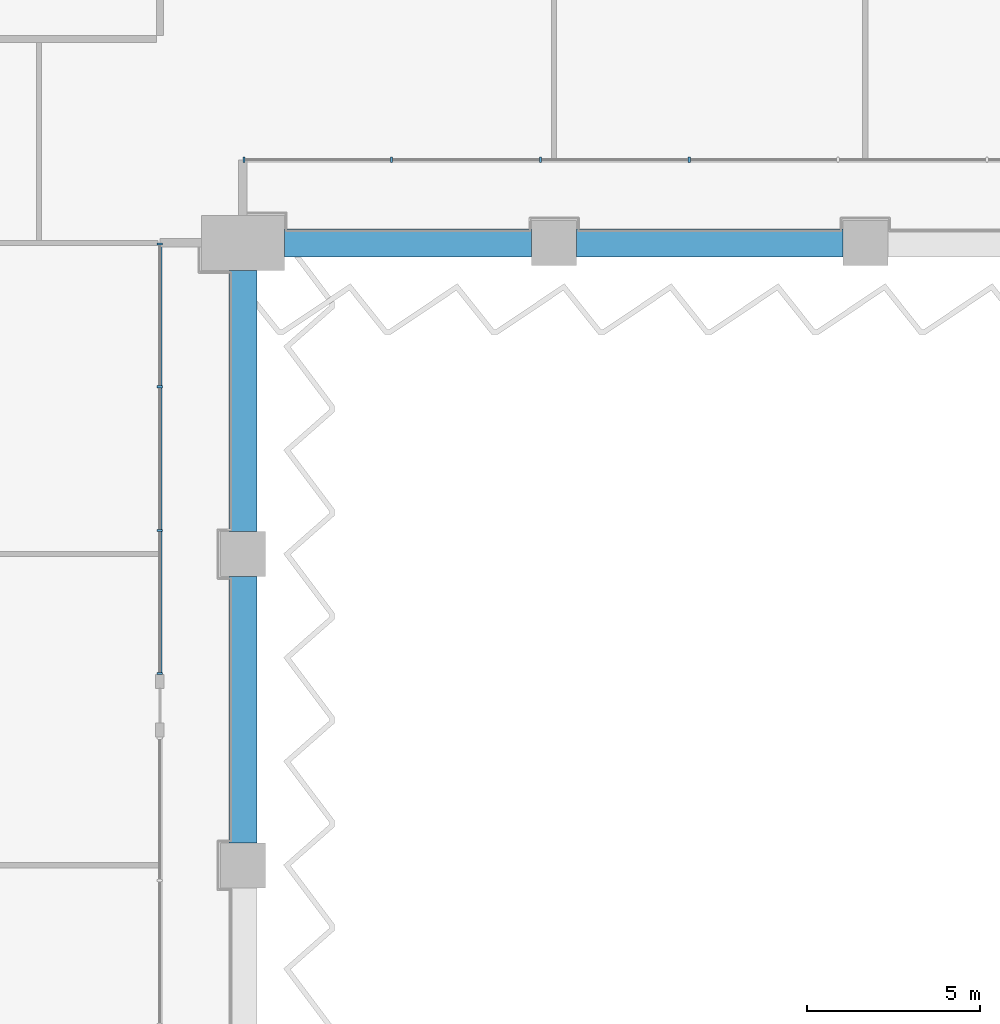
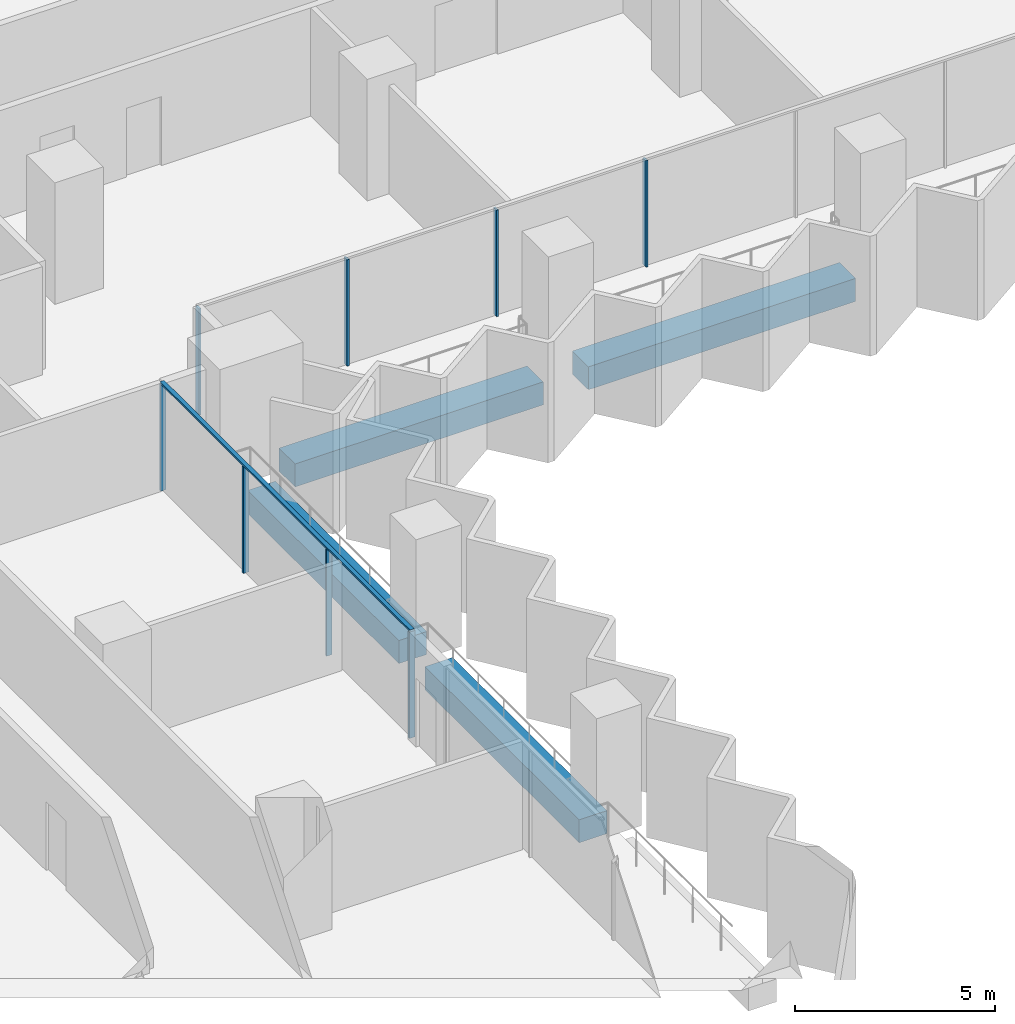
# One storey, part 4 of 28: 9 members, 4 beams, 2 elements without a shape of their own.
"""IFC4 building model written with IfcOpenShell, lengths in metres."""

from ifc_helpers import new_model, si_unit, direction, frame, origin, origin_2d, place, context, subcontext, project, spatial, rectangle, extrude, material, material_profile, profile_set, type_object, element, aggregate, save


model = new_model("IFC4")

# Units and contexts
model_context = context("Model", 3, precision=1e-05, world=origin(), true_north=direction((0.0, 1.0)))
body_context = subcontext(model_context, "Body", "Model", "MODEL_VIEW")
ifc_project = project(units=[si_unit("LENGTHUNIT", "METRE"), si_unit("AREAUNIT", "SQUARE_METRE"), si_unit("VOLUMEUNIT", "CUBIC_METRE"), si_unit("PLANEANGLEUNIT", "RADIAN"), si_unit("MASSUNIT", "GRAM", prefix="KILO")], contexts=[model_context])

# Site, building, storey
site_placement = place(None, origin())
site = spatial("IfcSite", under=ifc_project, at=site_placement, CompositionType="ELEMENT")
building_placement = place(site_placement, origin())
building = spatial("IfcBuilding", under=site, at=building_placement, Name="Hunhe Ridgeline Campus", CompositionType="ELEMENT")
storey_placement = place(building_placement, frame((0.0, 0.0, 61.699951171875)))
storey = spatial("IfcBuildingStorey", under=building, at=storey_placement, Name="L14", CompositionType="ELEMENT", Elevation=61.699951171875)

# Curtain wall, members
ifc_material_1 = material(Name="Aluminium 6063", Category="aluminium")
curtain_wall_type = type_object("IfcCurtainWallType", Name="Curtain wall CW-1", PredefinedType="NOTDEFINED", material=ifc_material_1)
curtain_wall_1_placement = place(storey_placement, origin())
curtain_wall_1 = element("IfcCurtainWall", 1, at=curtain_wall_1_placement, inside=storey, type_object=curtain_wall_type, Name="Curtain wall 12", PredefinedType="NOTDEFINED")
ifc_material_profile_1 = material_profile(ifc_material_1, rectangle(XDim=0.159912109375, YDim=0.06005859375, at=origin_2d()))
ifc_profile_set_1 = profile_set([ifc_material_profile_1], Name="Aluminium 6063")
member_type_1 = type_object("IfcMemberType", Name="CW-1 aluminium mullion", PredefinedType="MULLION", material=ifc_profile_set_1)
member_1_placement = place(storey_placement, frame((42.59912109375, 41.54833984375, 0.0), z_axis=(0.0, 0.0, 1.0), x_axis=(-1.0, 1.60239e-07, 0.0)))
member_1 = element("IfcMember", 2, at=member_1_placement, type_object=member_type_1, Name="CW-1 mullion 1", PredefinedType="MULLION", context=body_context, shape_type="SweptSolid", body=[
    extrude(rectangle(XDim=0.159912109375, YDim=0.06005859375, at=origin_2d()), origin(), (0.0, 0.0, 1.0), 3.239990234375),
])
member_2_placement = place(storey_placement, frame((42.59912109375, 45.678955078125, 0.0), z_axis=(0.0, 0.0, 1.0), x_axis=(-1.0, 1.60239e-07, 0.0)))
member_2 = element("IfcMember", 3, at=member_2_placement, type_object=member_type_1, Name="CW-1 mullion 2", PredefinedType="MULLION", context=body_context, shape_type="SweptSolid", body=[
    extrude(rectangle(XDim=0.159912109375, YDim=0.06005859375, at=origin_2d()), origin(), (0.0, 0.0, 1.0), 3.239990234375),
])
member_3_placement = place(storey_placement, frame((42.59912109375, 49.839599609375, 0.0), z_axis=(0.0, 0.0, 1.0), x_axis=(-1.0, 1.60239e-07, 0.0)))
member_3 = element("IfcMember", 4, at=member_3_placement, type_object=member_type_1, Name="CW-1 mullion 3", PredefinedType="MULLION", context=body_context, shape_type="SweptSolid", body=[
    extrude(rectangle(XDim=0.159912109375, YDim=0.06005859375, at=origin_2d()), origin(), (0.0, 0.0, 1.0), 3.239990234375),
])
member_4_placement = place(storey_placement, frame((42.59912109375, 53.97021484375, 0.0), z_axis=(0.0, 0.0, 1.0), x_axis=(-1.0, 1.60239e-07, 0.0)))
member_4 = element("IfcMember", 5, at=member_4_placement, type_object=member_type_1, Name="CW-1 mullion 4", PredefinedType="MULLION", context=body_context, shape_type="SweptSolid", body=[
    extrude(rectangle(XDim=0.159912109375, YDim=0.06005859375, at=origin_2d()), origin(), (0.0, 0.0, 1.0), 3.239990234375),
])

curtain_wall_2_placement = place(storey_placement, origin())
curtain_wall_2 = element("IfcCurtainWall", 6, at=curtain_wall_2_placement, inside=storey, type_object=curtain_wall_type, Name="Curtain wall 13", PredefinedType="NOTDEFINED")
member_5_placement = place(storey_placement, frame((45.029541015625, 56.40087890625, 0.0), z_axis=(0.0, 0.0, 1.0), x_axis=(-3.602063e-06, 0.999999999994, 0.0)))
member_5 = element("IfcMember", 7, at=member_5_placement, type_object=member_type_1, Name="CW-1 mullion 1", PredefinedType="MULLION", context=body_context, shape_type="SweptSolid", body=[
    extrude(rectangle(XDim=0.159912109375, YDim=0.06005859375, at=origin_2d()), origin(), (0.0, 0.0, 1.0), 3.239990234375),
])
member_6_placement = place(storey_placement, frame((49.302490234375, 56.40087890625, 0.0), z_axis=(0.0, 0.0, 1.0), x_axis=(-3.602063e-06, 0.999999999994, 0.0)))
member_6 = element("IfcMember", 8, at=member_6_placement, type_object=member_type_1, Name="CW-1 mullion 2", PredefinedType="MULLION", context=body_context, shape_type="SweptSolid", body=[
    extrude(rectangle(XDim=0.159912109375, YDim=0.06005859375, at=origin_2d()), origin(), (0.0, 0.0, 1.0), 3.239990234375),
])
member_7_placement = place(storey_placement, frame((53.605712890625, 56.40087890625, 0.0), z_axis=(0.0, 0.0, 1.0), x_axis=(-3.602063e-06, 0.999999999994, 0.0)))
member_7 = element("IfcMember", 9, at=member_7_placement, type_object=member_type_1, Name="CW-1 mullion 3", PredefinedType="MULLION", context=body_context, shape_type="SweptSolid", body=[
    extrude(rectangle(XDim=0.159912109375, YDim=0.06005859375, at=origin_2d()), origin(), (0.0, 0.0, 1.0), 3.239990234375),
])
member_8_placement = place(storey_placement, frame((57.90869140625, 56.40087890625, 0.0), z_axis=(0.0, 0.0, 1.0), x_axis=(-3.602063e-06, 0.999999999994, 0.0)))
member_8 = element("IfcMember", 10, at=member_8_placement, type_object=member_type_1, Name="CW-1 mullion 4", PredefinedType="MULLION", context=body_context, shape_type="SweptSolid", body=[
    extrude(rectangle(XDim=0.159912109375, YDim=0.06005859375, at=origin_2d()), origin(), (0.0, 0.0, 1.0), 3.239990234375),
])
aggregate(curtain_wall_2, [member_5, member_6, member_7, member_8])

# Member
ifc_material_profile_2 = material_profile(ifc_material_1, rectangle(XDim=0.1201171875, YDim=0.06005859375, at=origin_2d()))
ifc_profile_set_2 = profile_set([ifc_material_profile_2], Name="Aluminium 6063")
member_type_2 = type_object("IfcMemberType", Name="CW-1 aluminium transom", PredefinedType="USERDEFINED", material=ifc_profile_set_2)
member_9_placement = place(storey_placement, frame((42.59912109375, 41.518310546875, 3.27001953125), z_axis=(0.0, 1.0, 0.0), x_axis=(-1.0, 0.0, 0.0)))
member_9 = element("IfcMember", 11, at=member_9_placement, type_object=member_type_2, Name="CW-1 transom 1", ObjectType="TRANSOM", PredefinedType="USERDEFINED", context=body_context, shape_type="SweptSolid", body=[
    extrude(rectangle(XDim=0.1201171875, YDim=0.06005859375, at=origin_2d()), origin(), (0.0, 0.0, 1.0), 12.481689453125),
])

aggregate(curtain_wall_1, [member_9, member_1, member_2, member_3, member_4])

# Beams
ifc_material_2 = material(Name="Concrete C60", Category="concrete")
ifc_material_profile_3 = material_profile(ifc_material_2, rectangle(XDim=0.800048828125, YDim=0.699951171875, at=origin_2d()))
ifc_profile_set_3 = profile_set([ifc_material_profile_3], Name="Concrete C60")
beam_type = type_object("IfcBeamType", Name="RC spandrel beam 800x700 Concrete C60", PredefinedType="SPANDREL", material=ifc_profile_set_3)
beam_1_placement = place(storey_placement, frame((45.0, 36.64990234375, -0.599853515625), z_axis=(0.0, 1.0, 0.0), x_axis=(-1.0, 0.0, 0.0)))
element("IfcBeam", 12, at=beam_1_placement, inside=storey, type_object=beam_type, Name="Spandrel beam B1-10 L14", PredefinedType="SPANDREL", context=body_context, shape_type="SweptSolid", body=[
    extrude(rectangle(XDim=0.800048828125, YDim=0.699951171875, at=origin_2d()), origin(), (0.0, 0.0, 1.0), 7.7001953125),
])
beam_2_placement = place(storey_placement, frame((45.0, 45.64990234375, -0.599853515625), z_axis=(0.0, 1.0, 0.0), x_axis=(-1.0, 0.0, 0.0)))
element("IfcBeam", 13, at=beam_2_placement, inside=storey, type_object=beam_type, Name="Spandrel beam B1-11 L14", PredefinedType="SPANDREL", context=body_context, shape_type="SweptSolid", body=[
    extrude(rectangle(XDim=0.800048828125, YDim=0.699951171875, at=origin_2d()), origin(), (0.0, 0.0, 1.0), 7.550048828125),
])
beam_3_placement = place(storey_placement, frame((46.199951171875, 54.0, -0.599853515625), z_axis=(1.0, 0.0, 0.0), x_axis=(0.0, 1.0, 0.0)))
element("IfcBeam", 14, at=beam_3_placement, inside=storey, type_object=beam_type, Name="Spandrel beam B1-12 L14", PredefinedType="SPANDREL", context=body_context, shape_type="SweptSolid", body=[
    extrude(rectangle(XDim=0.800048828125, YDim=0.699951171875, at=origin_2d()), origin(), (0.0, 0.0, 1.0), 7.150146484375),
])
beam_4_placement = place(storey_placement, frame((54.64990234375, 54.0, -0.599853515625), z_axis=(1.0, 0.0, 0.0), x_axis=(0.0, 1.0, 0.0)))
element("IfcBeam", 15, at=beam_4_placement, inside=storey, type_object=beam_type, Name="Spandrel beam B1-13 L14", PredefinedType="SPANDREL", context=body_context, shape_type="SweptSolid", body=[
    extrude(rectangle(XDim=0.800048828125, YDim=0.699951171875, at=origin_2d()), origin(), (0.0, 0.0, 1.0), 7.7001953125),
])

save(model, "model.ifc")
